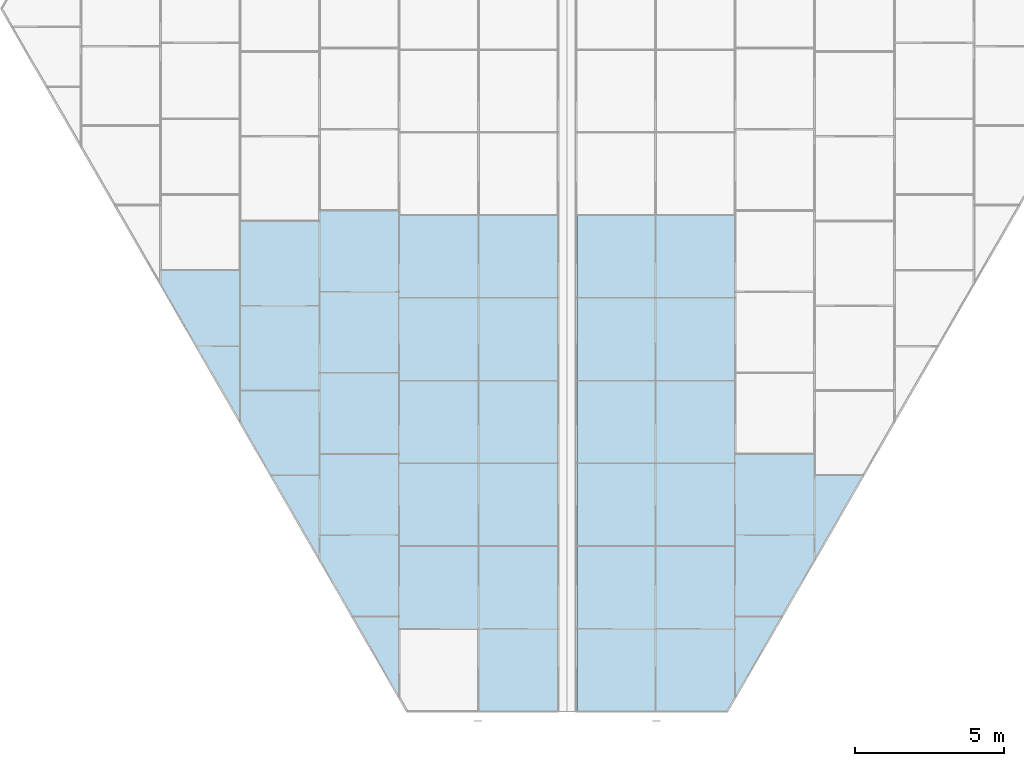
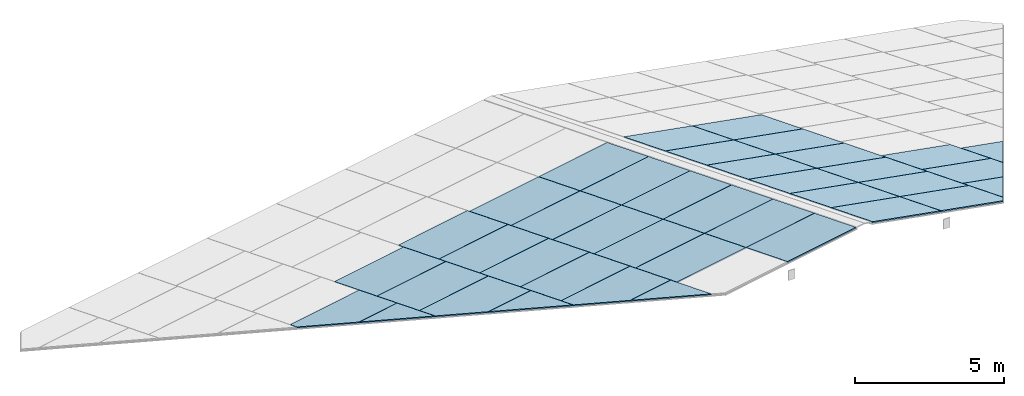
# One storey, part 8 of 12: 39 plates, 39 elements without a shape of their own.
"""IFC4 building model written with IfcOpenShell, lengths in metres."""

import ifcopenshell
import ifcopenshell.guid

model = None  # the IFC model being written
_history = None  # IfcOwnerHistory: only IFC2X3 demands one
_inside = {}  # id of a spatial element -> (the spatial element, [elements in it])
_under = {}  # id of a project, library or spatial element -> (it, [spatial elements below it])
_declared = {}  # id of a project -> (the project, [libraries it declares])
_typed = {}  # id of a type object -> (the type object, [elements of that type])
_made_of = {}  # id of a material, layer set ... -> (it, [elements and type objects made of it])


def new_model(schema):
    """Start an empty IFC model of exactly this schema.

    Asked for "IFC4X3", IfcOpenShell would pick the latest addendum, in which some entities
    have other attributes; the version numbers below select the first issue.
    IFC2X3 requires an IfcOwnerHistory on every rooted entity: one is made here for all.
    """
    global model, _history
    if schema == "IFC4X3":
        model = ifcopenshell.file(schema_version=(4, 3, 0, 0))
    else:
        model = ifcopenshell.file(schema=schema)
    _inside.clear()
    _under.clear()
    _declared.clear()
    _typed.clear()
    _made_of.clear()
    _history = None
    if model.schema == "IFC2X3":
        org = make("IfcOrganization", Name="unknown")
        user = make(
            "IfcPersonAndOrganization",
            ThePerson=make("IfcPerson", FamilyName="unknown"),
            TheOrganization=org,
        )
        app = make(
            "IfcApplication",
            ApplicationDeveloper=org,
            Version="unknown",
            ApplicationFullName="unknown",
            ApplicationIdentifier="unknown",
        )
        _history = make(
            "IfcOwnerHistory",
            OwningUser=user,
            OwningApplication=app,
            ChangeAction="ADDED",
            CreationDate=0,
        )
    return model


def make(cls, **values):
    """One entity of the class cls with the attributes given. An attribute that is None is left unset."""
    return model.create_entity(
        cls, **{name: value for name, value in values.items() if value is not None}
    )


def rooted(cls, **values):
    """An entity with a GlobalId (a new one), such as an element, a storey or a relation."""
    return make(cls, GlobalId=ifcopenshell.guid.new(), OwnerHistory=_history, **values)


def si_unit(unit_type, name, prefix=None):
    """IfcSIUnit, for example si_unit("LENGTHUNIT", "METRE", prefix="MILLI")."""
    return make("IfcSIUnit", UnitType=unit_type, Prefix=prefix, Name=name)


def assignment(units):
    """IfcUnitAssignment: the units of a project."""
    return None if units is None else make("IfcUnitAssignment", Units=units)


def point(xyz):
    """IfcCartesianPoint."""
    return None if xyz is None else make("IfcCartesianPoint", Coordinates=xyz)


def direction(xyz):
    """IfcDirection."""
    return None if xyz is None else make("IfcDirection", DirectionRatios=xyz)


def frame(location, z_axis=None, x_axis=None):
    """IfcAxis2Placement3D, a coordinate frame: its origin and axes. An axis left out is left unset."""
    return make(
        "IfcAxis2Placement3D",
        Location=point(location),
        Axis=direction(z_axis),
        RefDirection=direction(x_axis),
    )


def origin():
    """The frame at (0, 0, 0) with its axes left unset."""
    return frame((0.0, 0.0, 0.0))


def place(relative_to, where):
    """IfcLocalPlacement: puts the frame where relative to a parent placement (None: the world)."""
    return make(
        "IfcLocalPlacement", PlacementRelTo=relative_to, RelativePlacement=where
    )


def context(
    kind, dimensions, precision=None, world=None, true_north=None, identifier=None
):
    """IfcGeometricRepresentationContext, for example the 3D "Model" context."""
    return make(
        "IfcGeometricRepresentationContext",
        ContextIdentifier=identifier,
        ContextType=kind,
        CoordinateSpaceDimension=dimensions,
        Precision=precision,
        WorldCoordinateSystem=world,
        TrueNorth=true_north,
    )


def subcontext(parent, identifier, kind, view, scale=None):
    """IfcGeometricRepresentationSubContext, for example "Body" below "Model"."""
    return make(
        "IfcGeometricRepresentationSubContext",
        ContextIdentifier=identifier,
        ContextType=kind,
        ParentContext=parent,
        TargetScale=scale,
        TargetView=view,
    )


def project(units=None, contexts=None):
    """IfcProject with its units and contexts."""
    return rooted(
        "IfcProject",
        Name="project",
        RepresentationContexts=contexts,
        UnitsInContext=assignment(units),
    )


def spatial(cls, under=None, at=None, **own):
    """A site, building, storey or space (cls), placed at a placement, below another one or the project."""
    s = rooted(cls, ObjectPlacement=at, **own)
    if under is not None:
        _under.setdefault(under.id(), (under, []))[1].append(s)
    return s


def polyline(points):
    """IfcPolyline through the points."""
    return make("IfcPolyline", Points=[point(p) for p in points])


def outline(outer, holes=None, kind="AREA"):
    """IfcArbitraryClosedProfileDef: a profile drawn as a closed curve; with holes, ...WithVoids."""
    if holes is None:
        return make("IfcArbitraryClosedProfileDef", ProfileType=kind, OuterCurve=outer)
    return make(
        "IfcArbitraryProfileDefWithVoids",
        ProfileType=kind,
        OuterCurve=outer,
        InnerCurves=holes,
    )


def extrude(swept, where, along, depth):
    """IfcExtrudedAreaSolid: the profile swept, set in the frame where, extruded along a direction by depth."""
    return make(
        "IfcExtrudedAreaSolid",
        SweptArea=swept,
        Position=where,
        ExtrudedDirection=direction(along),
        Depth=depth,
    )


def shape(context_of_items, identifier, shape_type, items):
    """IfcShapeRepresentation: the items that make up one representation, for example the "Body"."""
    return make(
        "IfcShapeRepresentation",
        ContextOfItems=context_of_items,
        RepresentationIdentifier=identifier,
        RepresentationType=shape_type,
        Items=items,
    )


def material(Name=None, Category=None):
    """IfcMaterial."""
    return make("IfcMaterial", Name=Name, Category=Category)


def layer(
    of_material, thickness, ventilated=None, Name=None, Category=None, Priority=None
):
    """IfcMaterialLayer: one layer of a wall or slab, of a material (None: an air gap)."""
    return make(
        "IfcMaterialLayer",
        Material=of_material,
        LayerThickness=thickness,
        IsVentilated=ventilated,
        Name=Name,
        Category=Category,
        Priority=Priority,
    )


def layer_set(layers, Name=None):
    """IfcMaterialLayerSet."""
    return make("IfcMaterialLayerSet", MaterialLayers=layers, LayerSetName=Name)


def made_of(thing, what):
    """Note that an element or type object is made of a material, layer set ...; save() writes the relation."""
    if what is not None:
        _made_of.setdefault(what.id(), (what, []))[1].append(thing)
    return thing


def type_object(cls, material=None, **own):
    """A type object (cls), such as IfcWallType, which elements share."""
    return made_of(rooted(cls, **own), material)


def element(
    cls,
    number,
    at=None,
    inside=None,
    cuts=None,
    type_object=None,
    material=None,
    context=None,
    identifier="Body",
    shape_type=None,
    held_by="IfcProductDefinitionShape",
    body=None,
    shapes=None,
    **own,
):
    """One element of the class cls, such as IfcWall. Its Tag is "e" and its number.

    at: its placement. inside: the storey or other place that contains it. cuts: it is an
    opening in that element (IfcRelVoidsElement). A single representation is given by context,
    identifier, shape_type and body (its items); several are given by shapes. held_by: the class
    of the entity that holds the representations. save() writes the other relations.
    """
    e = rooted(cls, Tag="e%d" % number, ObjectPlacement=at, **own)
    if body is not None:
        shapes = [shape(context, identifier, shape_type, body)]
    if shapes is not None:
        e.Representation = make(held_by, Representations=shapes)
    if inside is not None:
        _inside.setdefault(inside.id(), (inside, []))[1].append(e)
    if cuts is not None:
        rooted(
            "IfcRelVoidsElement", RelatingBuildingElement=cuts, RelatedOpeningElement=e
        )
    if type_object is not None:
        _typed.setdefault(type_object.id(), (type_object, []))[1].append(e)
    return made_of(e, material)


def aggregate(whole, parts):
    """IfcRelAggregates: a whole, such as a stair, and the parts it consists of."""
    return rooted("IfcRelAggregates", RelatingObject=whole, RelatedObjects=parts)


def save(model, path):
    """Write the relations noted so far, then the file.

    IfcRelAggregates (storeys below a building ...), IfcRelContainedInSpatialStructure (elements
    in a storey), IfcRelDefinesByType, IfcRelAssociatesMaterial and IfcRelDeclares: one each for
    every whole, place, type object, material and project.
    """
    for whole, parts in _under.values():
        aggregate(whole, parts)
    for where, things in _inside.values():
        rooted(
            "IfcRelContainedInSpatialStructure",
            RelatedElements=things,
            RelatingStructure=where,
        )
    for kind, things in _typed.values():
        rooted("IfcRelDefinesByType", RelatedObjects=things, RelatingType=kind)
    for what, things in _made_of.values():
        rooted("IfcRelAssociatesMaterial", RelatedObjects=things, RelatingMaterial=what)
    for by, libraries in _declared.values():
        rooted("IfcRelDeclares", RelatingContext=by, RelatedDefinitions=libraries)
    model.write(path)


model = new_model("IFC4")

# Units and contexts
model_context = context("Model", 3, precision=1e-05, world=origin(), true_north=direction((0.0, 1.0)))
body_context = subcontext(model_context, "Body", "Model", "MODEL_VIEW")
ifc_project = project(units=[si_unit("LENGTHUNIT", "METRE"), si_unit("AREAUNIT", "SQUARE_METRE"), si_unit("VOLUMEUNIT", "CUBIC_METRE"), si_unit("PLANEANGLEUNIT", "RADIAN"), si_unit("MASSUNIT", "GRAM", prefix="KILO")], contexts=[model_context])

# Site, building, storey
site_placement = place(None, origin())
site = spatial("IfcSite", under=ifc_project, at=site_placement, CompositionType="ELEMENT")
building_placement = place(site_placement, origin())
building = spatial("IfcBuilding", under=site, at=building_placement, Name="Aloe Facet Convention Tower", CompositionType="ELEMENT")
storey_placement = place(building_placement, frame((0.0, 0.0, 306.5)))
storey = spatial("IfcBuildingStorey", under=building, at=storey_placement, Name="C6", CompositionType="ELEMENT", Elevation=306.5)

# Curtain wall, plate
ifc_material_1 = material(Name="Aluminium, anodised", Category="aluminium")
curtain_wall_type = type_object("IfcCurtainWallType", Name="EV-CW-LANTERN", PredefinedType="USERDEFINED", material=ifc_material_1)
curtain_wall_1_placement = place(storey_placement, origin())
curtain_wall_1 = element("IfcCurtainWall", 1, at=curtain_wall_1_placement, inside=storey, type_object=curtain_wall_type, Name="CW-RW01", ObjectType="ROOF LANTERN GLAZING", PredefinedType="USERDEFINED")
ifc_material_2 = material(Name="Clear double glazing", Category="glass")
ifc_layer = layer(ifc_material_2, 0.0400390625)
ifc_layer_set = layer_set([ifc_layer], Name="EV-PANEL-LANTERN")
plate_type = type_object("IfcPlateType", Name="EV-PANEL-LANTERN", PredefinedType="CURTAIN_PANEL", material=ifc_layer_set)
plate_1_placement = place(storey_placement, frame((77.03125, 112.25634765625, -0.443603515625), z_axis=(-0.1649327632, 0.364711572381, 0.91639655859), x_axis=(0.984186809855, 0.0, 0.177133631213)))
plate_1 = element("IfcPlate", 2, at=plate_1_placement, type_object=plate_type, Name="Roof glazing W01", PredefinedType="CURTAIN_PANEL", context=body_context, shape_type="SweptSolid", body=[
    extrude(outline(polyline([(0.0, 0.0), (2.6862774441303654, 0.0), (2.8809687546093574, -2.966016339545643), (0.194691310478992, -2.966016339545643), (0.0, 0.0)])), origin(), (0.0, 0.0, -1.0), 0.0400390625),
])
aggregate(curtain_wall_1, [plate_1])

curtain_wall_2_placement = place(storey_placement, origin())
curtain_wall_2 = element("IfcCurtainWall", 3, at=curtain_wall_2_placement, inside=storey, type_object=curtain_wall_type, Name="CW-RW02", ObjectType="ROOF LANTERN GLAZING", PredefinedType="USERDEFINED")
plate_2_placement = place(storey_placement, frame((77.03125, 115.036376953125, -1.550048828125), z_axis=(-0.164974969653, 0.364693957818, 0.916395971466), x_axis=(0.984177832868, -1.5186718e-05, 0.177183501096)))
plate_2 = element("IfcPlate", 4, at=plate_2_placement, type_object=plate_type, Name="Roof glazing W02", PredefinedType="CURTAIN_PANEL", context=body_context, shape_type="SweptSolid", body=[
    extrude(outline(polyline([(0.0, 0.0), (2.686320698062654, -2.7755575615628914e-17), (2.881801041801249, -2.97695971601162), (0.19552360142929218, -2.9770473432586018), (0.0, 0.0)])), origin(), (0.0, 0.0, -1.0), 0.0400390625),
])
aggregate(curtain_wall_2, [plate_2])

curtain_wall_3_placement = place(storey_placement, origin())
curtain_wall_3 = element("IfcCurtainWall", 5, at=curtain_wall_3_placement, inside=storey, type_object=curtain_wall_type, Name="CW-RW03", ObjectType="ROOF LANTERN GLAZING", PredefinedType="USERDEFINED")
plate_3_placement = place(storey_placement, frame((77.03125, 117.81640625, -2.65625), z_axis=(-0.164974969653, 0.364693957818, 0.916395971466), x_axis=(0.98417994065, 1.5186963e-05, 0.177171792875)))
plate_3 = element("IfcPlate", 6, at=plate_3_placement, type_object=plate_type, Name="Roof glazing W03", PredefinedType="CURTAIN_PANEL", context=body_context, shape_type="SweptSolid", body=[
    extrude(outline(polyline([(0.0, 0.0), (2.6862774418011717, 0.0), (2.8817039308703594, -2.977053719718384), (0.19538323423694254, -2.976966091060369), (0.0, 0.0)])), origin(), (0.0, 0.0, -1.0), 0.0400390625),
])
aggregate(curtain_wall_3, [plate_3])

curtain_wall_4_placement = place(storey_placement, origin())
curtain_wall_4 = element("IfcCurtainWall", 7, at=curtain_wall_4_placement, inside=storey, type_object=curtain_wall_type, Name="CW-RW04", ObjectType="ROOF LANTERN GLAZING", PredefinedType="USERDEFINED")
plate_4_placement = place(storey_placement, frame((77.03125, 120.59619140625, -3.762451171875), z_axis=(-0.164934304102, 0.364689362523, 0.916405120126), x_axis=(0.984186809855, 0.0, 0.177133631213)))
plate_4 = element("IfcPlate", 8, at=plate_4_placement, type_object=plate_type, Name="Roof glazing W04", PredefinedType="CURTAIN_PANEL", context=body_context, shape_type="SweptSolid", body=[
    extrude(outline(polyline([(0.0, 0.0), (2.6862774441303654, 0.0), (2.881660682856284, -2.9767387650605017), (0.19538323872591867, -2.9767387650605017), (0.0, 0.0)])), origin(), (0.0, 0.0, -1.0), 0.0400390625),
])
aggregate(curtain_wall_4, [plate_4])

curtain_wall_5_placement = place(storey_placement, origin())
curtain_wall_5 = element("IfcCurtainWall", 9, at=curtain_wall_5_placement, inside=storey, type_object=curtain_wall_type, Name="CW-RW05", ObjectType="ROOF LANTERN GLAZING", PredefinedType="USERDEFINED")
plate_5_placement = place(storey_placement, frame((77.03125, 123.376220703125, -4.86865234375), z_axis=(-0.164936236056, 0.364661514026, 0.916415854415), x_axis=(0.984186809855, 0.0, 0.177133631213)))
plate_5 = element("IfcPlate", 10, at=plate_5_placement, type_object=plate_type, Name="Roof glazing W05", PredefinedType="CURTAIN_PANEL", context=body_context, shape_type="SweptSolid", body=[
    extrude(outline(polyline([(0.0, 0.0), (2.6862774441303654, 0.0), (2.881660682856284, -2.9769660928675075), (0.19538323872591867, -2.9769660928675075), (0.0, 0.0)])), origin(), (0.0, 0.0, -1.0), 0.0400390625),
])
aggregate(curtain_wall_5, [plate_5])

curtain_wall_6_placement = place(storey_placement, origin())
curtain_wall_6 = element("IfcCurtainWall", 11, at=curtain_wall_6_placement, inside=storey, type_object=curtain_wall_type, Name="CW-RW06", ObjectType="ROOF LANTERN GLAZING", PredefinedType="USERDEFINED")
plate_6_placement = place(storey_placement, frame((77.03125, 126.15625, -5.97509765625), z_axis=(-0.164974969653, 0.364693957818, 0.916395971466), x_axis=(0.984177832868, -1.5186718e-05, 0.177183501096)))
plate_6 = element("IfcPlate", 12, at=plate_6_placement, type_object=plate_type, Name="Roof glazing W06", PredefinedType="CURTAIN_PANEL", context=body_context, shape_type="SweptSolid", body=[
    extrude(outline(polyline([(0.0, 0.0), (2.686320698062654, -2.7755575615628914e-17), (2.881801041801249, -2.97695971601162), (0.19552360142929218, -2.9770473432586018), (0.0, 0.0)])), origin(), (0.0, 0.0, -1.0), 0.0400390625),
])
aggregate(curtain_wall_6, [plate_6])

curtain_wall_7_placement = place(storey_placement, origin())
curtain_wall_7 = element("IfcCurtainWall", 13, at=curtain_wall_7_placement, inside=storey, type_object=curtain_wall_type, Name="CW-RW11", ObjectType="ROOF LANTERN GLAZING", PredefinedType="USERDEFINED")
plate_7_placement = place(storey_placement, frame((77.023193359375, 112.264404296875, -0.4482421875), z_axis=(-0.164993554211, 0.364657969534, 0.916406946899), x_axis=(-0.984175776426, 0.0, -0.177194924013)))
plate_7 = element("IfcPlate", 14, at=plate_7_placement, type_object=plate_type, Name="Roof glazing W11", PredefinedType="CURTAIN_PANEL", context=body_context, shape_type="SweptSolid", body=[
    extrude(outline(polyline([(0.0, 0.0), (2.7073931761720242, 0.0), (2.9028440225320193, -2.9769616548949744), (0.19545084635999496, -2.976961654894974), (0.0, 0.0)])), origin(), (0.0, 0.0, -1.0), 0.0400390625),
])
aggregate(curtain_wall_7, [plate_7])

curtain_wall_8_placement = place(storey_placement, origin())
curtain_wall_8 = element("IfcCurtainWall", 15, at=curtain_wall_8_placement, inside=storey, type_object=curtain_wall_type, Name="CW-RW12", ObjectType="ROOF LANTERN GLAZING", PredefinedType="USERDEFINED")
plate_8_placement = place(storey_placement, frame((77.023193359375, 115.04443359375, -1.554443359375), z_axis=(-0.164950286005, 0.364695484352, 0.916399807311), x_axis=(-0.984182592752, 1.5068642e-05, -0.177157059971)))
plate_8 = element("IfcPlate", 16, at=plate_8_placement, type_object=plate_type, Name="Roof glazing W12", PredefinedType="CURTAIN_PANEL", context=body_context, shape_type="SweptSolid", body=[
    extrude(outline(polyline([(0.0, 0.0), (2.7073931738609778, -2.7755575615628914e-17), (2.9028440250099043, -2.9769616524787814), (0.19549410238427137, -2.977049280521208), (0.0, 0.0)])), origin(), (0.0, 0.0, -1.0), 0.0400390625),
])
aggregate(curtain_wall_8, [plate_8])

curtain_wall_9_placement = place(storey_placement, origin())
curtain_wall_9 = element("IfcCurtainWall", 17, at=curtain_wall_9_placement, inside=storey, type_object=curtain_wall_type, Name="CW-RW13", ObjectType="ROOF LANTERN GLAZING", PredefinedType="USERDEFINED")
plate_9_placement = place(storey_placement, frame((77.023193359375, 117.824462890625, -2.660888671875), z_axis=(-0.164948353527, 0.364723334648, 0.916389071209), x_axis=(-0.984184684004, -1.5069856e-05, -0.177145441783)))
plate_9 = element("IfcPlate", 18, at=plate_9_placement, type_object=plate_type, Name="Roof glazing W13", PredefinedType="CURTAIN_PANEL", context=body_context, shape_type="SweptSolid", body=[
    extrude(outline(polyline([(0.0, 0.0), (2.7073499240438035, 2.7755575615628914e-17), (2.9027476689990337, -2.9768282854939185), (0.19535449655635745, -2.976740649359737), (0.0, 0.0)])), origin(), (0.0, 0.0, -1.0), 0.0400390625),
])
aggregate(curtain_wall_9, [plate_9])

curtain_wall_10_placement = place(storey_placement, origin())
curtain_wall_10 = element("IfcCurtainWall", 19, at=curtain_wall_10_placement, inside=storey, type_object=curtain_wall_type, Name="CW-RW14", ObjectType="ROOF LANTERN GLAZING", PredefinedType="USERDEFINED")
plate_10_placement = place(storey_placement, frame((77.023193359375, 120.604248046875, -3.76708984375), z_axis=(-0.164993554211, 0.364657969534, 0.916406946899), x_axis=(-0.984175776426, 0.0, -0.177194924013)))
plate_10 = element("IfcPlate", 20, at=plate_10_placement, type_object=plate_type, Name="Roof glazing W14", PredefinedType="CURTAIN_PANEL", context=body_context, shape_type="SweptSolid", body=[
    extrude(outline(polyline([(0.0, 0.0), (2.7073931761720242, 0.0), (2.9028440225320193, -2.9769616548949744), (0.19545084635999496, -2.976961654894974), (0.0, 0.0)])), origin(), (0.0, 0.0, -1.0), 0.0400390625),
])
aggregate(curtain_wall_10, [plate_10])

curtain_wall_11_placement = place(storey_placement, origin())
curtain_wall_11 = element("IfcCurtainWall", 21, at=curtain_wall_11_placement, inside=storey, type_object=curtain_wall_type, Name="CW-RW15", ObjectType="ROOF LANTERN GLAZING", PredefinedType="USERDEFINED")
plate_11_placement = place(storey_placement, frame((77.023193359375, 123.38427734375, -4.873291015625), z_axis=(-0.164993554211, 0.364657969534, 0.916406946899), x_axis=(-0.984175776426, 0.0, -0.177194924013)))
plate_11 = element("IfcPlate", 22, at=plate_11_placement, type_object=plate_type, Name="Roof glazing W15", PredefinedType="CURTAIN_PANEL", context=body_context, shape_type="SweptSolid", body=[
    extrude(outline(polyline([(0.0, 0.0), (2.7073931761720242, 0.0), (2.9028440225320193, -2.9769616548949744), (0.19545084635999496, -2.976961654894974), (0.0, 0.0)])), origin(), (0.0, 0.0, -1.0), 0.0400390625),
])
aggregate(curtain_wall_11, [plate_11])

curtain_wall_12_placement = place(storey_placement, origin())
curtain_wall_12 = element("IfcCurtainWall", 23, at=curtain_wall_12_placement, inside=storey, type_object=curtain_wall_type, Name="CW-RW19", ObjectType="ROOF LANTERN GLAZING", PredefinedType="USERDEFINED")
plate_12_placement = place(storey_placement, frame((74.3505859375, 112.672607421875, -1.091796875), z_axis=(-0.164939916852, 0.36470860897, 0.916396450436), x_axis=(0.0, -0.929122062567, 0.36977316405)))
plate_12 = element("IfcPlate", 24, at=plate_12_placement, type_object=plate_type, Name="Roof glazing W19", PredefinedType="CURTAIN_PANEL", context=body_context, shape_type="SweptSolid", body=[
    extrude(outline(polyline([(0.0, 0.0), (2.9156388424527377, 0.0), (-0.10408897904036192, -1.5856829658334937), (0.0, 0.0)])), origin(), (0.0, 0.0, -1.0), 0.0400390625),
])
aggregate(curtain_wall_12, [plate_12])

curtain_wall_13_placement = place(storey_placement, origin())
curtain_wall_13 = element("IfcCurtainWall", 25, at=curtain_wall_13_placement, inside=storey, type_object=curtain_wall_type, Name="CW-RW20", ObjectType="ROOF LANTERN GLAZING", PredefinedType="USERDEFINED")
plate_13_placement = place(storey_placement, frame((74.3505859375, 112.680419921875, -1.094970703125), z_axis=(-0.164963141066, 0.364676209965, 0.916405163656), x_axis=(-0.984183441655, -2.9261176e-05, -0.177152342113)))
plate_13 = element("IfcPlate", 26, at=plate_13_placement, type_object=plate_type, Name="Roof glazing W20", PredefinedType="CURTAIN_PANEL", context=body_context, shape_type="SweptSolid", body=[
    extrude(outline(polyline([(0.0, 0.0), (1.5937907031531469, 0.0), (2.8411533803874516, -2.038929527931695), (2.8990412031980624, -2.9212175890767984), (0.19164803071917969, -2.921101105427178), (0.0, 0.0)])), origin(), (0.0, 0.0, -1.0), 0.0400390625),
])
aggregate(curtain_wall_13, [plate_13])

curtain_wall_14_placement = place(storey_placement, origin())
curtain_wall_14 = element("IfcCurtainWall", 27, at=curtain_wall_14_placement, inside=storey, type_object=curtain_wall_type, Name="CW-RW21", ObjectType="ROOF LANTERN GLAZING", PredefinedType="USERDEFINED")
plate_14_placement = place(storey_placement, frame((74.3505859375, 115.408447265625, -2.180419921875), z_axis=(-0.164951440661, 0.364678842636, 0.916406222129), x_axis=(-0.984182592847, 1.5068059e-05, -0.177157059441)))
plate_14 = element("IfcPlate", 28, at=plate_14_placement, type_object=plate_type, Name="Roof glazing W21", PredefinedType="CURTAIN_PANEL", context=body_context, shape_type="SweptSolid", body=[
    extrude(outline(polyline([(0.0, 0.0), (2.707393173860946, -2.7755575615628914e-17), (2.899166884249696, -2.921092856877463), (0.1918169616239653, -2.9211804809212625), (0.0, 0.0)])), origin(), (0.0, 0.0, -1.0), 0.0400390625),
])
aggregate(curtain_wall_14, [plate_14])

curtain_wall_15_placement = place(storey_placement, origin())
curtain_wall_15 = element("IfcCurtainWall", 29, at=curtain_wall_15_placement, inside=storey, type_object=curtain_wall_type, Name="CW-RW22", ObjectType="ROOF LANTERN GLAZING", PredefinedType="USERDEFINED")
plate_15_placement = place(storey_placement, frame((74.3505859375, 118.136474609375, -3.26611328125), z_axis=(-0.164994755479, 0.364640658195, 0.916413618982), x_axis=(-0.984175776426, 0.0, -0.177194924013)))
plate_15 = element("IfcPlate", 30, at=plate_15_placement, type_object=plate_type, Name="Roof glazing W22", PredefinedType="CURTAIN_PANEL", context=body_context, shape_type="SweptSolid", body=[
    extrude(outline(polyline([(0.0, 0.0), (2.7073931761720242, -2.7755575615628914e-17), (2.8991668817749146, -2.9210928593336667), (0.19177370560289014, -2.921092859333667), (0.0, 0.0)])), origin(), (0.0, 0.0, -1.0), 0.0400390625),
])
aggregate(curtain_wall_15, [plate_15])

curtain_wall_16_placement = place(storey_placement, origin())
curtain_wall_16 = element("IfcCurtainWall", 31, at=curtain_wall_16_placement, inside=storey, type_object=curtain_wall_type, Name="CW-RW23", ObjectType="ROOF LANTERN GLAZING", PredefinedType="USERDEFINED")
plate_16_placement = place(storey_placement, frame((74.3505859375, 120.8642578125, -4.3515625), z_axis=(-0.164951440661, 0.364678842636, 0.916406222129), x_axis=(-0.984182592847, 1.5068059e-05, -0.177157059441)))
plate_16 = element("IfcPlate", 32, at=plate_16_placement, type_object=plate_type, Name="Roof glazing W23", PredefinedType="CURTAIN_PANEL", context=body_context, shape_type="SweptSolid", body=[
    extrude(outline(polyline([(0.0, 0.0), (2.707393173860946, -2.7755575615628914e-17), (2.899166884249696, -2.921092856877463), (0.1918169616239653, -2.9211804809212625), (0.0, 0.0)])), origin(), (0.0, 0.0, -1.0), 0.0400390625),
])
aggregate(curtain_wall_16, [plate_16])

curtain_wall_17_placement = place(storey_placement, origin())
curtain_wall_17 = element("IfcCurtainWall", 33, at=curtain_wall_17_placement, inside=storey, type_object=curtain_wall_type, Name="CW-RW24", ObjectType="ROOF LANTERN GLAZING", PredefinedType="USERDEFINED")
plate_17_placement = place(storey_placement, frame((74.3505859375, 123.59228515625, -5.437255859375), z_axis=(-0.164994755479, 0.364640658195, 0.916413618982), x_axis=(-0.984175776426, 0.0, -0.177194924013)))
plate_17 = element("IfcPlate", 34, at=plate_17_placement, type_object=plate_type, Name="Roof glazing W24", PredefinedType="CURTAIN_PANEL", context=body_context, shape_type="SweptSolid", body=[
    extrude(outline(polyline([(0.0, 0.0), (2.7073931761720242, -2.7755575615628914e-17), (2.8991668817749146, -2.9210928593336667), (0.19177370560289014, -2.921092859333667), (0.0, 0.0)])), origin(), (0.0, 0.0, -1.0), 0.0400390625),
])
aggregate(curtain_wall_17, [plate_17])

curtain_wall_18_placement = place(storey_placement, origin())
curtain_wall_18 = element("IfcCurtainWall", 35, at=curtain_wall_18_placement, inside=storey, type_object=curtain_wall_type, Name="CW-RW28", ObjectType="ROOF LANTERN GLAZING", PredefinedType="USERDEFINED")
plate_18_placement = place(storey_placement, frame((71.677978515625, 117.419921875, -3.4619140625), z_axis=(-0.165023347999, 0.364660892201, 0.916400419203), x_axis=(0.0, -0.929139233439, 0.369730016208)))
plate_18 = element("IfcPlate", 36, at=plate_18_placement, type_object=plate_type, Name="Roof glazing W28", PredefinedType="CURTAIN_PANEL", context=body_context, shape_type="SweptSolid", body=[
    extrude(outline(polyline([(0.0, 0.0), (3.0427608002698294, 0.0), (-0.10868040515481037, -1.6550150366065886), (0.0, 0.0)])), origin(), (0.0, 0.0, -1.0), 0.0400390625),
])
aggregate(curtain_wall_18, [plate_18])

curtain_wall_19_placement = place(storey_placement, origin())
curtain_wall_19 = element("IfcCurtainWall", 37, at=curtain_wall_19_placement, inside=storey, type_object=curtain_wall_type, Name="CW-RW29", ObjectType="ROOF LANTERN GLAZING", PredefinedType="USERDEFINED")
plate_19_placement = place(storey_placement, frame((71.677978515625, 117.427734375, -3.465087890625), z_axis=(-0.164987477102, 0.364668921655, 0.91640368287), x_axis=(-0.984177331154, -7.58956e-06, -0.177186288365)))
plate_19 = element("IfcPlate", 38, at=plate_19_placement, type_object=plate_type, Name="Roof glazing W29", PredefinedType="CURTAIN_PANEL", context=body_context, shape_type="SweptSolid", body=[
    extrude(outline(polyline([(0.0, 0.0), (1.6632746229115154, 0.0), (2.8331557353388366, -1.9119702807789314), (2.907725138555877, -3.0480448756756298), (0.2000916848973119, -3.0480328529559073), (0.0, 0.0)])), origin(), (0.0, 0.0, -1.0), 0.0400390625),
])
aggregate(curtain_wall_19, [plate_19])

curtain_wall_20_placement = place(storey_placement, origin())
curtain_wall_20 = element("IfcCurtainWall", 39, at=curtain_wall_20_placement, inside=storey, type_object=curtain_wall_type, Name="CW-RW30", ObjectType="ROOF LANTERN GLAZING", PredefinedType="USERDEFINED")
plate_20_placement = place(storey_placement, frame((71.677978515625, 120.27392578125, -4.59765625), z_axis=(-0.164976187542, 0.364697239219, 0.916394446322), x_axis=(-0.984178607384, 0.0, -0.177179199589)))
plate_20 = element("IfcPlate", 40, at=plate_20_placement, type_object=plate_type, Name="Roof glazing W30", PredefinedType="CURTAIN_PANEL", context=body_context, shape_type="SweptSolid", body=[
    extrude(outline(polyline([(0.0, 0.0), (2.7076334538067823, 0.0), (2.907738672873482, -3.047804637437013), (0.20010521906669956, -3.047804637437013), (0.0, 0.0)])), origin(), (0.0, 0.0, -1.0), 0.0400390625),
])
aggregate(curtain_wall_20, [plate_20])

curtain_wall_21_placement = place(storey_placement, origin())
curtain_wall_21 = element("IfcCurtainWall", 41, at=curtain_wall_21_placement, inside=storey, type_object=curtain_wall_type, Name="CW-RW31", ObjectType="ROOF LANTERN GLAZING", PredefinedType="USERDEFINED")
plate_21_placement = place(storey_placement, frame((71.677978515625, 123.119873046875, -5.730224609375), z_axis=(-0.164978075021, 0.364670039525, 0.916404930713), x_axis=(-0.984178607384, 0.0, -0.177179199589)))
plate_21 = element("IfcPlate", 42, at=plate_21_placement, type_object=plate_type, Name="Roof glazing W31", PredefinedType="CURTAIN_PANEL", context=body_context, shape_type="SweptSolid", body=[
    extrude(outline(polyline([(0.0, 0.0), (2.7076334538067823, 0.0), (2.907738672873482, -3.048031964459847), (0.20010521906669956, -3.048031964459847), (0.0, 0.0)])), origin(), (0.0, 0.0, -1.0), 0.0400390625),
])
aggregate(curtain_wall_21, [plate_21])

curtain_wall_22_placement = place(storey_placement, origin())
curtain_wall_22 = element("IfcCurtainWall", 43, at=curtain_wall_22_placement, inside=storey, type_object=curtain_wall_type, Name="CW-RW35", ObjectType="ROOF LANTERN GLAZING", PredefinedType="USERDEFINED")
plate_22_placement = place(storey_placement, frame((69.00537109375, 121.751953125, -5.6669921875), z_axis=(-0.164961477837, 0.36468592043, 0.916401598793), x_axis=(0.0, -0.929130679288, 0.369751512244)))
plate_22 = element("IfcPlate", 44, at=plate_22_placement, type_object=plate_type, Name="Roof glazing W35", PredefinedType="CURTAIN_PANEL", context=body_context, shape_type="SweptSolid", body=[
    extrude(outline(polyline([(0.0, 0.0), (2.7230069496950082, 0.0), (-0.09722226042151627, -1.4809828082089367), (0.0, 0.0)])), origin(), (0.0, 0.0, -1.0), 0.0400390625),
])
aggregate(curtain_wall_22, [plate_22])

curtain_wall_23_placement = place(storey_placement, origin())
curtain_wall_23 = element("IfcCurtainWall", 45, at=curtain_wall_23_placement, inside=storey, type_object=curtain_wall_type, Name="CW-RW36", ObjectType="ROOF LANTERN GLAZING", PredefinedType="USERDEFINED")
plate_23_placement = place(storey_placement, frame((69.00537109375, 121.759765625, -5.670166015625), z_axis=(-0.164913180833, 0.364687741886, 0.916409566572), x_axis=(-0.984191273403, -5.177506e-06, -0.177108829057)))
plate_23 = element("IfcPlate", 46, at=plate_23_placement, type_object=plate_type, Name="Roof glazing W36", PredefinedType="CURTAIN_PANEL", context=body_context, shape_type="SweptSolid", body=[
    extrude(outline(polyline([(0.0, 0.0), (1.488865614831127, 0.0), (2.8540315021742995, -2.2313409124642503), (2.8866748954926122, -2.728965823738327), (0.17908468810364597, -2.7289697948735334), (0.0, 0.0)])), origin(), (0.0, 0.0, -1.0), 0.0400390625),
])
aggregate(curtain_wall_23, [plate_23])

curtain_wall_24_placement = place(storey_placement, origin())
curtain_wall_24 = element("IfcCurtainWall", 47, at=curtain_wall_24_placement, inside=storey, type_object=curtain_wall_type, Name="CW-RE01", ObjectType="ROOF LANTERN GLAZING", PredefinedType="USERDEFINED")
plate_24_placement = place(storey_placement, frame((80.324951171875, 112.25634765625, 0.0322265625), z_axis=(0.1649327632, 0.364711572381, 0.91639655859), x_axis=(0.984186809855, 0.0, -0.177133631213)))
plate_24 = element("IfcPlate", 48, at=plate_24_placement, type_object=plate_type, Name="Roof glazing E01", PredefinedType="CURTAIN_PANEL", context=body_context, shape_type="SweptSolid", body=[
    extrude(outline(polyline([(0.0, 0.0), (2.6862774441303654, 0.0), (2.4915861336513734, -2.966016339545643), (-0.194691310478992, -2.966016339545643), (0.0, 0.0)])), origin(), (0.0, 0.0, -1.0), 0.0400390625),
])
aggregate(curtain_wall_24, [plate_24])

curtain_wall_25_placement = place(storey_placement, origin())
curtain_wall_25 = element("IfcCurtainWall", 49, at=curtain_wall_25_placement, inside=storey, type_object=curtain_wall_type, Name="CW-RE02", ObjectType="ROOF LANTERN GLAZING", PredefinedType="USERDEFINED")
plate_25_placement = place(storey_placement, frame((80.324951171875, 115.036376953125, -1.073974609375), z_axis=(0.164974969653, 0.364693957818, 0.916395971466), x_axis=(0.984177832868, 1.5186718e-05, -0.177183501096)))
plate_25 = element("IfcPlate", 50, at=plate_25_placement, type_object=plate_type, Name="Roof glazing E02", PredefinedType="CURTAIN_PANEL", context=body_context, shape_type="SweptSolid", body=[
    extrude(outline(polyline([(0.0, 0.0), (2.686320698062654, 2.7755575615628914e-17), (2.490797096633362, -2.9770473432586018), (-0.1954803437385948, -2.97695971601162), (0.0, 0.0)])), origin(), (0.0, 0.0, -1.0), 0.0400390625),
])
aggregate(curtain_wall_25, [plate_25])

curtain_wall_26_placement = place(storey_placement, origin())
curtain_wall_26 = element("IfcCurtainWall", 51, at=curtain_wall_26_placement, inside=storey, type_object=curtain_wall_type, Name="CW-RE03", ObjectType="ROOF LANTERN GLAZING", PredefinedType="USERDEFINED")
plate_26_placement = place(storey_placement, frame((80.324951171875, 117.81640625, -2.180419921875), z_axis=(0.164974969653, 0.364693957818, 0.916395971466), x_axis=(0.98417994065, -1.5186963e-05, -0.177171792875)))
plate_26 = element("IfcPlate", 52, at=plate_26_placement, type_object=plate_type, Name="Roof glazing E03", PredefinedType="CURTAIN_PANEL", context=body_context, shape_type="SweptSolid", body=[
    extrude(outline(polyline([(0.0, 0.0), (2.6862774418011717, 0.0), (2.490894207564229, -2.976966091060369), (-0.1954264890691875, -2.977053719718384), (0.0, 0.0)])), origin(), (0.0, 0.0, -1.0), 0.0400390625),
])
aggregate(curtain_wall_26, [plate_26])

curtain_wall_27_placement = place(storey_placement, origin())
curtain_wall_27 = element("IfcCurtainWall", 53, at=curtain_wall_27_placement, inside=storey, type_object=curtain_wall_type, Name="CW-RE04", ObjectType="ROOF LANTERN GLAZING", PredefinedType="USERDEFINED")
plate_27_placement = place(storey_placement, frame((80.324951171875, 120.59619140625, -3.28662109375), z_axis=(0.164934304102, 0.364689362523, 0.916405120126), x_axis=(0.984186809855, 0.0, -0.177133631213)))
plate_27 = element("IfcPlate", 54, at=plate_27_placement, type_object=plate_type, Name="Roof glazing E04", PredefinedType="CURTAIN_PANEL", context=body_context, shape_type="SweptSolid", body=[
    extrude(outline(polyline([(0.0, 0.0), (2.6862774441303654, 0.0), (2.4908942054044467, -2.9767387650605013), (-0.19538323872591867, -2.9767387650605017), (0.0, 0.0)])), origin(), (0.0, 0.0, -1.0), 0.0400390625),
])
aggregate(curtain_wall_27, [plate_27])

curtain_wall_28_placement = place(storey_placement, origin())
curtain_wall_28 = element("IfcCurtainWall", 55, at=curtain_wall_28_placement, inside=storey, type_object=curtain_wall_type, Name="CW-RE05", ObjectType="ROOF LANTERN GLAZING", PredefinedType="USERDEFINED")
plate_28_placement = place(storey_placement, frame((80.324951171875, 123.376220703125, -4.392822265625), z_axis=(0.164936236056, 0.364661514026, 0.916415854415), x_axis=(0.984186809855, 0.0, -0.177133631213)))
plate_28 = element("IfcPlate", 56, at=plate_28_placement, type_object=plate_type, Name="Roof glazing E05", PredefinedType="CURTAIN_PANEL", context=body_context, shape_type="SweptSolid", body=[
    extrude(outline(polyline([(0.0, 0.0), (2.6862774441303654, 0.0), (2.4908942054044467, -2.9769660928675075), (-0.19538323872591867, -2.9769660928675075), (0.0, 0.0)])), origin(), (0.0, 0.0, -1.0), 0.0400390625),
])
aggregate(curtain_wall_28, [plate_28])

curtain_wall_29_placement = place(storey_placement, origin())
curtain_wall_29 = element("IfcCurtainWall", 57, at=curtain_wall_29_placement, inside=storey, type_object=curtain_wall_type, Name="CW-RE06", ObjectType="ROOF LANTERN GLAZING", PredefinedType="USERDEFINED")
plate_29_placement = place(storey_placement, frame((80.324951171875, 126.15625, -5.4990234375), z_axis=(0.164974969653, 0.364693957818, 0.916395971466), x_axis=(0.984177832868, 1.5186718e-05, -0.177183501096)))
plate_29 = element("IfcPlate", 58, at=plate_29_placement, type_object=plate_type, Name="Roof glazing E06", PredefinedType="CURTAIN_PANEL", context=body_context, shape_type="SweptSolid", body=[
    extrude(outline(polyline([(0.0, 0.0), (2.686320698062654, 2.7755575615628914e-17), (2.490797096633362, -2.9770473432586018), (-0.1954803437385948, -2.97695971601162), (0.0, 0.0)])), origin(), (0.0, 0.0, -1.0), 0.0400390625),
])
aggregate(curtain_wall_29, [plate_29])

curtain_wall_30_placement = place(storey_placement, origin())
curtain_wall_30 = element("IfcCurtainWall", 59, at=curtain_wall_30_placement, inside=storey, type_object=curtain_wall_type, Name="CW-RE10", ObjectType="ROOF LANTERN GLAZING", PredefinedType="USERDEFINED")
plate_30_placement = place(storey_placement, frame((82.976806640625, 112.25634765625, -0.445068359375), z_axis=(0.164994062505, 0.36471684819, 0.91638342411), x_axis=(0.984175006184, -1.702633e-06, -0.177199202032)))
plate_30 = element("IfcPlate", 60, at=plate_30_placement, type_object=plate_type, Name="Roof glazing E10", PredefinedType="CURTAIN_PANEL", context=body_context, shape_type="SweptSolid", body=[
    extrude(outline(polyline([(0.0, 0.0), (2.7073931761425225, 2.7755575615628914e-17), (2.5447337735153095, -2.4772564489957865), (2.24570360114056, -2.9660358121268486), (-0.19475867855477763, -2.9660119165495553), (0.0, 0.0)])), origin(), (0.0, 0.0, -1.0), 0.0400390625),
])
aggregate(curtain_wall_30, [plate_30])

curtain_wall_31_placement = place(storey_placement, origin())
curtain_wall_31 = element("IfcCurtainWall", 61, at=curtain_wall_31_placement, inside=storey, type_object=curtain_wall_type, Name="CW-RE11", ObjectType="ROOF LANTERN GLAZING", PredefinedType="USERDEFINED")
plate_31_placement = place(storey_placement, frame((82.976806640625, 115.036376953125, -1.55126953125), z_axis=(0.164993554211, 0.364657969534, 0.916406946899), x_axis=(0.984175776426, 0.0, -0.177194924013)))
plate_31 = element("IfcPlate", 62, at=plate_31_placement, type_object=plate_type, Name="Roof glazing E11", PredefinedType="CURTAIN_PANEL", context=body_context, shape_type="SweptSolid", body=[
    extrude(outline(polyline([(0.0, 0.0), (2.7073931761720242, 0.0), (2.511942329812029, -2.976961654894974), (-0.19545084635999496, -2.976961654894974), (0.0, 0.0)])), origin(), (0.0, 0.0, -1.0), 0.0400390625),
])
aggregate(curtain_wall_31, [plate_31])

curtain_wall_32_placement = place(storey_placement, origin())
curtain_wall_32 = element("IfcCurtainWall", 63, at=curtain_wall_32_placement, inside=storey, type_object=curtain_wall_type, Name="CW-RE12", ObjectType="ROOF LANTERN GLAZING", PredefinedType="USERDEFINED")
plate_32_placement = place(storey_placement, frame((82.976806640625, 117.81640625, -2.65771484375), z_axis=(0.164950286005, 0.364695484352, 0.916399807311), x_axis=(0.984184683845, -1.5068882e-05, -0.17714544267)))
plate_32 = element("IfcPlate", 64, at=plate_32_placement, type_object=plate_type, Name="Roof glazing E12", PredefinedType="CURTAIN_PANEL", context=body_context, shape_type="SweptSolid", body=[
    extrude(outline(polyline([(0.0, 0.0), (2.7073499240437493, -2.7755575615628914e-17), (2.5119954274874963, -2.976967977022811), (-0.19539774495534243, -2.977055606465092), (0.0, 0.0)])), origin(), (0.0, 0.0, -1.0), 0.0400390625),
])
aggregate(curtain_wall_32, [plate_32])

curtain_wall_33_placement = place(storey_placement, origin())
curtain_wall_33 = element("IfcCurtainWall", 65, at=curtain_wall_33_placement, inside=storey, type_object=curtain_wall_type, Name="CW-RE13", ObjectType="ROOF LANTERN GLAZING", PredefinedType="USERDEFINED")
plate_33_placement = place(storey_placement, frame((82.976806640625, 120.59619140625, -3.763916015625), z_axis=(0.164948353527, 0.364723334648, 0.916389071209), x_axis=(0.984182592592, 1.5069616e-05, -0.177157060858)))
plate_33 = element("IfcPlate", 66, at=plate_33_placement, type_object=plate_type, Name="Roof glazing E13", PredefinedType="CURTAIN_PANEL", context=body_context, shape_type="SweptSolid", body=[
    extrude(outline(polyline([(0.0, 0.0), (2.707393173861032, -5.551115123125783e-17), (2.511899071476656, -2.976821959066947), (-0.19545085114881464, -2.976734324332727), (0.0, 0.0)])), origin(), (0.0, 0.0, -1.0), 0.0400390625),
])
aggregate(curtain_wall_33, [plate_33])

curtain_wall_34_placement = place(storey_placement, origin())
curtain_wall_34 = element("IfcCurtainWall", 67, at=curtain_wall_34_placement, inside=storey, type_object=curtain_wall_type, Name="CW-RE14", ObjectType="ROOF LANTERN GLAZING", PredefinedType="USERDEFINED")
plate_34_placement = place(storey_placement, frame((82.976806640625, 123.376220703125, -4.8701171875), z_axis=(0.164993554211, 0.364657969534, 0.916406946899), x_axis=(0.984175776426, 0.0, -0.177194924013)))
plate_34 = element("IfcPlate", 68, at=plate_34_placement, type_object=plate_type, Name="Roof glazing E14", PredefinedType="CURTAIN_PANEL", context=body_context, shape_type="SweptSolid", body=[
    extrude(outline(polyline([(0.0, 0.0), (2.7073931761720242, 0.0), (2.511942329812029, -2.976961654894974), (-0.19545084635999496, -2.976961654894974), (0.0, 0.0)])), origin(), (0.0, 0.0, -1.0), 0.0400390625),
])
aggregate(curtain_wall_34, [plate_34])

curtain_wall_35_placement = place(storey_placement, origin())
curtain_wall_35 = element("IfcCurtainWall", 69, at=curtain_wall_35_placement, inside=storey, type_object=curtain_wall_type, Name="CW-RE15", ObjectType="ROOF LANTERN GLAZING", PredefinedType="USERDEFINED")
plate_35_placement = place(storey_placement, frame((82.976806640625, 126.15625, -5.976318359375), z_axis=(0.164993554211, 0.364657969534, 0.916406946899), x_axis=(0.984175776426, 0.0, -0.177194924013)))
plate_35 = element("IfcPlate", 70, at=plate_35_placement, type_object=plate_type, Name="Roof glazing E15", PredefinedType="CURTAIN_PANEL", context=body_context, shape_type="SweptSolid", body=[
    extrude(outline(polyline([(0.0, 0.0), (2.7073931761720242, 0.0), (2.511942329812029, -2.976961654894974), (-0.19545084635999496, -2.976961654894974), (0.0, 0.0)])), origin(), (0.0, 0.0, -1.0), 0.0400390625),
])
aggregate(curtain_wall_35, [plate_35])

curtain_wall_36_placement = place(storey_placement, origin())
curtain_wall_36 = element("IfcCurtainWall", 71, at=curtain_wall_36_placement, inside=storey, type_object=curtain_wall_type, Name="CW-RE19", ObjectType="ROOF LANTERN GLAZING", PredefinedType="USERDEFINED")
plate_36_placement = place(storey_placement, frame((87.21337890625, 112.672607421875, -1.373291015625), z_axis=(0.164939916852, 0.36470860897, 0.916396450436), x_axis=(-0.458541224214, -0.794251236947, 0.398628797635)))
plate_36 = element("IfcPlate", 72, at=plate_36_placement, type_object=plate_type, Name="Roof glazing E19", PredefinedType="CURTAIN_PANEL", context=body_context, shape_type="SweptSolid", body=[
    extrude(outline(polyline([(0.0, 0.0), (3.41073988806446, 1.5265566588595902e-16), (0.8293540249000768, -1.3555061361256215), (0.0, 0.0)])), origin(), (0.0, 0.0, -1.0), 0.0400390625),
])
aggregate(curtain_wall_36, [plate_36])

curtain_wall_37_placement = place(storey_placement, origin())
curtain_wall_37 = element("IfcCurtainWall", 73, at=curtain_wall_37_placement, inside=storey, type_object=curtain_wall_type, Name="CW-RE20", ObjectType="ROOF LANTERN GLAZING", PredefinedType="USERDEFINED")
plate_37_placement = place(storey_placement, frame((85.6494140625, 112.680419921875, -1.094970703125), z_axis=(0.164963141066, 0.364676209965, 0.916405163656), x_axis=(-5.964879e-06, 0.929134924583, -0.36974084422)))
plate_37 = element("IfcPlate", 74, at=plate_37_placement, type_object=plate_type, Name="Roof glazing E20", PredefinedType="CURTAIN_PANEL", context=body_context, shape_type="SweptSolid", body=[
    extrude(outline(polyline([(0.0, 0.0), (2.9273811907243, 2.7755575615628914e-17), (3.104743411965237, -2.7015773996741586), (2.220558350531532, -2.701574867117972), (0.10434133094988661, -1.5903715578797957), (0.0, 0.0)])), origin(), (0.0, 0.0, -1.0), 0.0400390625),
])
aggregate(curtain_wall_37, [plate_37])

curtain_wall_38_placement = place(storey_placement, origin())
curtain_wall_38 = element("IfcCurtainWall", 75, at=curtain_wall_38_placement, inside=storey, type_object=curtain_wall_type, Name="CW-RE21", ObjectType="ROOF LANTERN GLAZING", PredefinedType="USERDEFINED")
plate_38_placement = place(storey_placement, frame((85.6494140625, 118.12841796875, -3.262939453125), z_axis=(0.164951440661, 0.364678842636, 0.916406222129), x_axis=(0.984184683749, -1.50683e-05, -0.1771454432)))
plate_38 = element("IfcPlate", 76, at=plate_38_placement, type_object=plate_type, Name="Roof glazing E21", PredefinedType="CURTAIN_PANEL", context=body_context, shape_type="SweptSolid", body=[
    extrude(outline(polyline([(0.0, 0.0), (2.707349924043717, 2.7755575615628914e-17), (2.5156707556416134, -2.9210990621506627), (-0.19172241680132227, -2.9211866875942536), (0.0, 0.0)])), origin(), (0.0, 0.0, -1.0), 0.0400390625),
])
aggregate(curtain_wall_38, [plate_38])

curtain_wall_39_placement = place(storey_placement, origin())
curtain_wall_39 = element("IfcCurtainWall", 77, at=curtain_wall_39_placement, inside=storey, type_object=curtain_wall_type, Name="CW-RE28", ObjectType="ROOF LANTERN GLAZING", PredefinedType="USERDEFINED")
plate_39_placement = place(storey_placement, frame((89.954345703125, 117.419921875, -3.755859375), z_axis=(0.165023347999, 0.364660892201, 0.916400419203), x_axis=(-0.458571295717, -0.794235058989, 0.398626438933)))
plate_39 = element("IfcPlate", 78, at=plate_39_placement, type_object=plate_type, Name="Roof glazing E28", PredefinedType="CURTAIN_PANEL", context=body_context, shape_type="SweptSolid", body=[
    extrude(outline(polyline([(0.0, 0.0), (3.5595865550148114, -4.85722573273506e-17), (0.8657114051854257, -1.4147190409372448), (0.0, 0.0)])), origin(), (0.0, 0.0, -1.0), 0.0400390625),
])
aggregate(curtain_wall_39, [plate_39])

save(model, "model.ifc")
